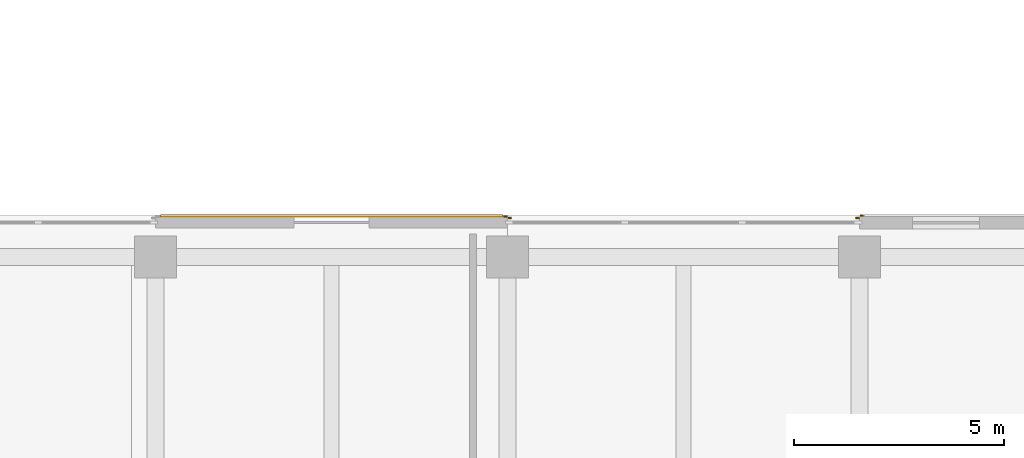
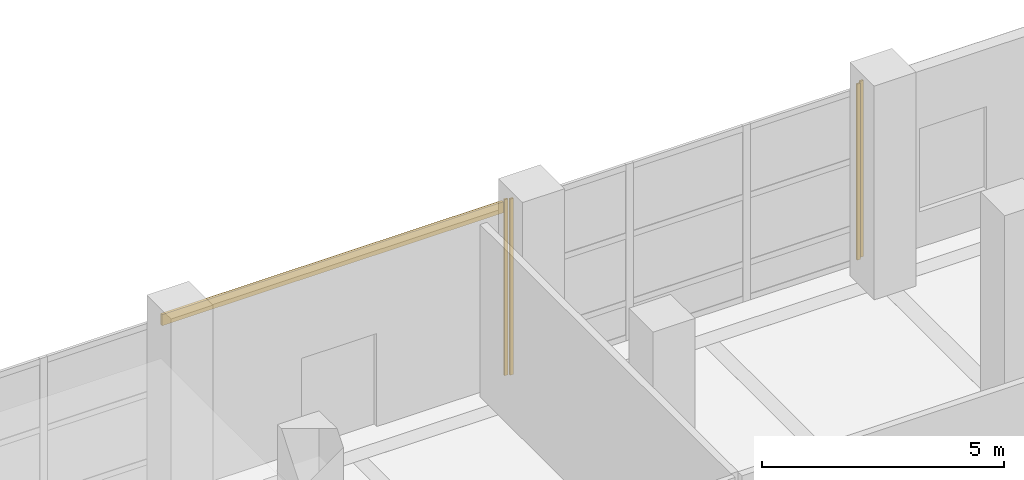
# One storey, part 121 of 140: 5 coverings.
"""IFC4 building model written with IfcOpenShell, lengths in metres."""

import ifcopenshell
import ifcopenshell.guid

model = None  # the IFC model being written
_history = None  # IfcOwnerHistory: only IFC2X3 demands one
_inside = {}  # id of a spatial element -> (the spatial element, [elements in it])
_under = {}  # id of a project, library or spatial element -> (it, [spatial elements below it])
_declared = {}  # id of a project -> (the project, [libraries it declares])
_typed = {}  # id of a type object -> (the type object, [elements of that type])
_made_of = {}  # id of a material, layer set ... -> (it, [elements and type objects made of it])


def new_model(schema):
    """Start an empty IFC model of exactly this schema.

    Asked for "IFC4X3", IfcOpenShell would pick the latest addendum, in which some entities
    have other attributes; the version numbers below select the first issue.
    IFC2X3 requires an IfcOwnerHistory on every rooted entity: one is made here for all.
    """
    global model, _history
    if schema == "IFC4X3":
        model = ifcopenshell.file(schema_version=(4, 3, 0, 0))
    else:
        model = ifcopenshell.file(schema=schema)
    _inside.clear()
    _under.clear()
    _declared.clear()
    _typed.clear()
    _made_of.clear()
    _history = None
    if model.schema == "IFC2X3":
        org = make("IfcOrganization", Name="unknown")
        user = make(
            "IfcPersonAndOrganization",
            ThePerson=make("IfcPerson", FamilyName="unknown"),
            TheOrganization=org,
        )
        app = make(
            "IfcApplication",
            ApplicationDeveloper=org,
            Version="unknown",
            ApplicationFullName="unknown",
            ApplicationIdentifier="unknown",
        )
        _history = make(
            "IfcOwnerHistory",
            OwningUser=user,
            OwningApplication=app,
            ChangeAction="ADDED",
            CreationDate=0,
        )
    return model


def make(cls, **values):
    """One entity of the class cls with the attributes given. An attribute that is None is left unset."""
    return model.create_entity(
        cls, **{name: value for name, value in values.items() if value is not None}
    )


def rooted(cls, **values):
    """An entity with a GlobalId (a new one), such as an element, a storey or a relation."""
    return make(cls, GlobalId=ifcopenshell.guid.new(), OwnerHistory=_history, **values)


def si_unit(unit_type, name, prefix=None):
    """IfcSIUnit, for example si_unit("LENGTHUNIT", "METRE", prefix="MILLI")."""
    return make("IfcSIUnit", UnitType=unit_type, Prefix=prefix, Name=name)


def assignment(units):
    """IfcUnitAssignment: the units of a project."""
    return None if units is None else make("IfcUnitAssignment", Units=units)


def point(xyz):
    """IfcCartesianPoint."""
    return None if xyz is None else make("IfcCartesianPoint", Coordinates=xyz)


def direction(xyz):
    """IfcDirection."""
    return None if xyz is None else make("IfcDirection", DirectionRatios=xyz)


def frame(location, z_axis=None, x_axis=None):
    """IfcAxis2Placement3D, a coordinate frame: its origin and axes. An axis left out is left unset."""
    return make(
        "IfcAxis2Placement3D",
        Location=point(location),
        Axis=direction(z_axis),
        RefDirection=direction(x_axis),
    )


def frame_2d(location, x_axis=None):
    """IfcAxis2Placement2D, a coordinate frame in the plane: its origin and x axis."""
    return make(
        "IfcAxis2Placement2D", Location=point(location), RefDirection=direction(x_axis)
    )


def origin():
    """The frame at (0, 0, 0) with its axes left unset."""
    return frame((0.0, 0.0, 0.0))


def origin_2d():
    """The frame at (0, 0) in the plane with its x axis left unset."""
    return frame_2d((0.0, 0.0))


def place(relative_to, where):
    """IfcLocalPlacement: puts the frame where relative to a parent placement (None: the world)."""
    return make(
        "IfcLocalPlacement", PlacementRelTo=relative_to, RelativePlacement=where
    )


def context(
    kind, dimensions, precision=None, world=None, true_north=None, identifier=None
):
    """IfcGeometricRepresentationContext, for example the 3D "Model" context."""
    return make(
        "IfcGeometricRepresentationContext",
        ContextIdentifier=identifier,
        ContextType=kind,
        CoordinateSpaceDimension=dimensions,
        Precision=precision,
        WorldCoordinateSystem=world,
        TrueNorth=true_north,
    )


def subcontext(parent, identifier, kind, view, scale=None):
    """IfcGeometricRepresentationSubContext, for example "Body" below "Model"."""
    return make(
        "IfcGeometricRepresentationSubContext",
        ContextIdentifier=identifier,
        ContextType=kind,
        ParentContext=parent,
        TargetScale=scale,
        TargetView=view,
    )


def project(units=None, contexts=None):
    """IfcProject with its units and contexts."""
    return rooted(
        "IfcProject",
        Name="project",
        RepresentationContexts=contexts,
        UnitsInContext=assignment(units),
    )


def spatial(cls, under=None, at=None, **own):
    """A site, building, storey or space (cls), placed at a placement, below another one or the project."""
    s = rooted(cls, ObjectPlacement=at, **own)
    if under is not None:
        _under.setdefault(under.id(), (under, []))[1].append(s)
    return s


def profile(cls, at=None, kind="AREA", **sizes):
    """A parametric profile (cls). Its sizes go by their IFC names, for example OverallWidth=200.0."""
    return make(cls, ProfileType=kind, Position=at, **sizes)


def rectangle(**sizes):
    """IfcRectangleProfileDef."""
    return profile("IfcRectangleProfileDef", **sizes)


def extrude(swept, where, along, depth):
    """IfcExtrudedAreaSolid: the profile swept, set in the frame where, extruded along a direction by depth."""
    return make(
        "IfcExtrudedAreaSolid",
        SweptArea=swept,
        Position=where,
        ExtrudedDirection=direction(along),
        Depth=depth,
    )


def shape(context_of_items, identifier, shape_type, items):
    """IfcShapeRepresentation: the items that make up one representation, for example the "Body"."""
    return make(
        "IfcShapeRepresentation",
        ContextOfItems=context_of_items,
        RepresentationIdentifier=identifier,
        RepresentationType=shape_type,
        Items=items,
    )


def material(Name=None, Category=None):
    """IfcMaterial."""
    return make("IfcMaterial", Name=Name, Category=Category)


def layer(
    of_material, thickness, ventilated=None, Name=None, Category=None, Priority=None
):
    """IfcMaterialLayer: one layer of a wall or slab, of a material (None: an air gap)."""
    return make(
        "IfcMaterialLayer",
        Material=of_material,
        LayerThickness=thickness,
        IsVentilated=ventilated,
        Name=Name,
        Category=Category,
        Priority=Priority,
    )


def layer_set(layers, Name=None):
    """IfcMaterialLayerSet."""
    return make("IfcMaterialLayerSet", MaterialLayers=layers, LayerSetName=Name)


def made_of(thing, what):
    """Note that an element or type object is made of a material, layer set ...; save() writes the relation."""
    if what is not None:
        _made_of.setdefault(what.id(), (what, []))[1].append(thing)
    return thing


def type_object(cls, material=None, **own):
    """A type object (cls), such as IfcWallType, which elements share."""
    return made_of(rooted(cls, **own), material)


def element(
    cls,
    number,
    at=None,
    inside=None,
    cuts=None,
    type_object=None,
    material=None,
    context=None,
    identifier="Body",
    shape_type=None,
    held_by="IfcProductDefinitionShape",
    body=None,
    shapes=None,
    **own,
):
    """One element of the class cls, such as IfcWall. Its Tag is "e" and its number.

    at: its placement. inside: the storey or other place that contains it. cuts: it is an
    opening in that element (IfcRelVoidsElement). A single representation is given by context,
    identifier, shape_type and body (its items); several are given by shapes. held_by: the class
    of the entity that holds the representations. save() writes the other relations.
    """
    e = rooted(cls, Tag="e%d" % number, ObjectPlacement=at, **own)
    if body is not None:
        shapes = [shape(context, identifier, shape_type, body)]
    if shapes is not None:
        e.Representation = make(held_by, Representations=shapes)
    if inside is not None:
        _inside.setdefault(inside.id(), (inside, []))[1].append(e)
    if cuts is not None:
        rooted(
            "IfcRelVoidsElement", RelatingBuildingElement=cuts, RelatedOpeningElement=e
        )
    if type_object is not None:
        _typed.setdefault(type_object.id(), (type_object, []))[1].append(e)
    return made_of(e, material)


def aggregate(whole, parts):
    """IfcRelAggregates: a whole, such as a stair, and the parts it consists of."""
    return rooted("IfcRelAggregates", RelatingObject=whole, RelatedObjects=parts)


def save(model, path):
    """Write the relations noted so far, then the file.

    IfcRelAggregates (storeys below a building ...), IfcRelContainedInSpatialStructure (elements
    in a storey), IfcRelDefinesByType, IfcRelAssociatesMaterial and IfcRelDeclares: one each for
    every whole, place, type object, material and project.
    """
    for whole, parts in _under.values():
        aggregate(whole, parts)
    for where, things in _inside.values():
        rooted(
            "IfcRelContainedInSpatialStructure",
            RelatedElements=things,
            RelatingStructure=where,
        )
    for kind, things in _typed.values():
        rooted("IfcRelDefinesByType", RelatedObjects=things, RelatingType=kind)
    for what, things in _made_of.values():
        rooted("IfcRelAssociatesMaterial", RelatedObjects=things, RelatingMaterial=what)
    for by, libraries in _declared.values():
        rooted("IfcRelDeclares", RelatingContext=by, RelatedDefinitions=libraries)
    model.write(path)


model = new_model("IFC4")

# Units and contexts
model_context = context("Model", 3, precision=1e-05, world=origin(), true_north=direction((0.0, 1.0)))
body_context = subcontext(model_context, "Body", "Model", "MODEL_VIEW")
ifc_project = project(units=[si_unit("LENGTHUNIT", "METRE"), si_unit("AREAUNIT", "SQUARE_METRE"), si_unit("VOLUMEUNIT", "CUBIC_METRE"), si_unit("PLANEANGLEUNIT", "RADIAN"), si_unit("MASSUNIT", "GRAM", prefix="KILO")], contexts=[model_context])

# Site, building, storey
site_placement = place(None, origin())
site = spatial("IfcSite", under=ifc_project, at=site_placement, CompositionType="ELEMENT")
building_placement = place(site_placement, origin())
building = spatial("IfcBuilding", under=site, at=building_placement, Name="Telukmera Botanical Conservatory", CompositionType="ELEMENT")
storey_placement = place(building_placement, origin())
storey = spatial("IfcBuildingStorey", under=building, at=storey_placement, Name="L00", CompositionType="ELEMENT", Elevation=0.0)

# Coverings
ifc_material_1 = material(Name="Granite-faced precast concrete C40/50", Category="masonry")
ifc_layer_1 = layer(ifc_material_1, 0.0400390625)
ifc_layer_set_1 = layer_set([ifc_layer_1], Name="Granite-faced precast concrete C40/50")
covering_type_1 = type_object("IfcCoveringType", Name="Granite Precast Column Pier Reveal Casing", PredefinedType="CLADDING", material=ifc_layer_set_1)
for number, where, z_axis, x_axis, name in (
    (1, (92.347900390625, 49.169921875, 0.0), (0.0, 0.0, 1.0), (1.0, 0.0, 0.0), "Granite Pier Reveal V4:L00:N5 R"),
    (2, (92.451904296875, 49.1298828125, 0.0), (0.0, 0.0, 1.0), (1.0, 0.0, 0.0), "Granite Pier Reveal V4:L00:N6 L"),
    (3, (100.748046875, 49.1298828125, 0.0), (0.0, 0.0, 1.0), (1.0, 0.0, 0.0), "Granite Pier Reveal V4:L00:N6 R"),
    (4, (100.85205078125, 49.18994140625, 0.0), (0.0, 0.0, 1.0), (1.0, 0.0, 0.0), "Granite Pier Reveal V4:L00:N7 L"),
):
    element("IfcCovering", number, at=place(storey_placement, frame(where, z_axis=z_axis, x_axis=x_axis)), inside=storey, type_object=covering_type_1, Name=name, PredefinedType="CLADDING", context=body_context, shape_type="SweptSolid", body=[
        extrude(rectangle(XDim=0.080078125, YDim=0.0400390625, at=origin_2d()), origin(), (0.0, 0.0, 1.0), 4.449951171875),
    ])
ifc_material_2 = material(Name="Terracotta-faced precast concrete C40/50", Category="masonry")
ifc_layer_2 = layer(ifc_material_2, 0.06005859375)
ifc_layer_set_2 = layer_set([ifc_layer_2], Name="Terracotta-faced precast concrete C40/50")
covering_type_2 = type_object("IfcCoveringType", Name="Polychrome Terracotta Facade Band Cladding", PredefinedType="CLADDING", material=ifc_layer_set_2)
covering_placement = place(storey_placement, frame((88.199951171875, 49.179931640625, 4.1298828125), z_axis=(0.0, 0.0, 1.0), x_axis=(1.0, 0.0, 0.0)))
element("IfcCovering", 5, at=covering_placement, inside=storey, type_object=covering_type_2, Name="Polychrome Terracotta Band V4:L00:N5", PredefinedType="CLADDING", context=body_context, shape_type="SweptSolid", body=[
    extrude(rectangle(XDim=8.156005859375, YDim=0.06005859375, at=origin_2d()), origin(), (0.0, 0.0, 1.0), 0.280029296875),
])

save(model, "model.ifc")
